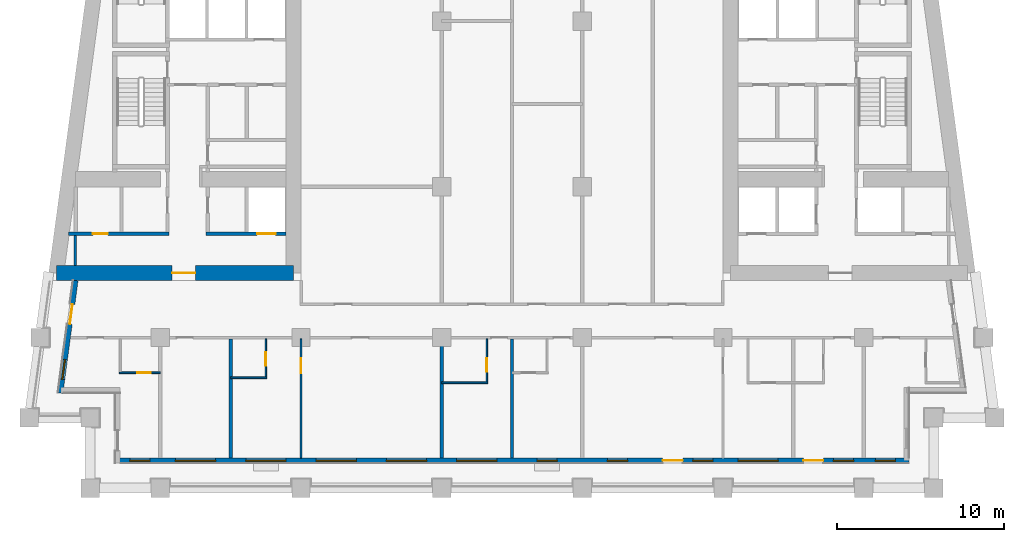
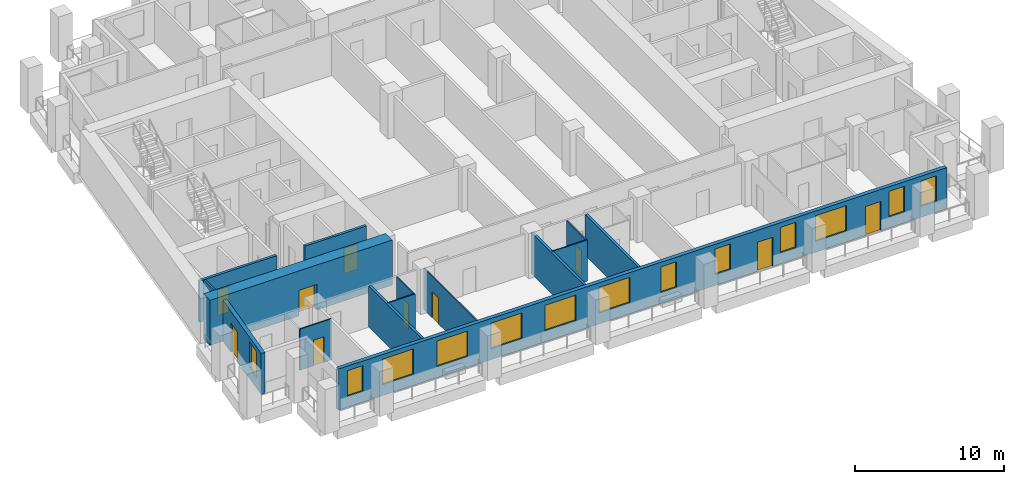
# One storey, part 2 of 13: 15 walls, 13 windows, 10 doors, 23 openings.
"""IFC4 building model written with IfcOpenShell, lengths in metres."""

from ifc_helpers import new_model, si_unit, direction, frame, frame_2d, origin, place, context, subcontext, project, spatial, rectangle, extrude, material, layer, layer_set, type_object, element, fill, save


model = new_model("IFC4")

# Units and contexts
model_context = context("Model", 3, precision=1e-05, world=origin(), true_north=direction((0.0, 1.0)))
body_context = subcontext(model_context, "Body", "Model", "MODEL_VIEW")
ifc_project = project(units=[si_unit("LENGTHUNIT", "METRE"), si_unit("AREAUNIT", "SQUARE_METRE"), si_unit("VOLUMEUNIT", "CUBIC_METRE"), si_unit("PLANEANGLEUNIT", "RADIAN"), si_unit("MASSUNIT", "GRAM", prefix="KILO")], contexts=[model_context])

# Site, building, storey
site_placement = place(None, origin())
site = spatial("IfcSite", under=ifc_project, at=site_placement, CompositionType="ELEMENT")
building_placement = place(site_placement, origin())
building = spatial("IfcBuilding", under=site, at=building_placement, Name="Candeia Pilgrim Tower and Theatre", CompositionType="ELEMENT")
storey_placement = place(building_placement, frame((0.0, 0.0, 158.89990234375)))
storey = spatial("IfcBuildingStorey", under=building, at=storey_placement, Name="L37", CompositionType="ELEMENT", Elevation=158.89990234375)

# Wall, opening, door
ifc_material_1 = material(Name="Concrete C60/75", Category="concrete")
ifc_layer_1 = layer(ifc_material_1, 0.89990234375)
ifc_layer_set_1 = layer_set([ifc_layer_1], Name="Core wall 900 C60/75")
wall_type_1 = type_object("IfcWallType", Name="Core wall 900 C60/75", PredefinedType="SHEAR", material=ifc_layer_set_1)
wall_1_placement = place(storey_placement, frame((100.35009765625, 110.85009765625, 0.0), z_axis=(0.0, 0.0, 1.0), x_axis=(-1.0, 0.0, 0.0)))
wall_1 = element("IfcWall", 1, at=wall_1_placement, inside=storey, type_object=wall_type_1, Name="Core wall W3", PredefinedType="SHEAR", context=body_context, shape_type="SweptSolid", body=[
    extrude(rectangle(XDim=14.166259765625, YDim=0.89990234375, at=frame_2d((7.0830078125, 0.0))), origin(), (0.0, 0.0, 1.0), 3.7001953125),
])
opening_1_placement = place(wall_1_placement, frame((5.854736328125, 0.0, 0.0)))
opening_1 = element("IfcOpeningElement", 2, at=opening_1_placement, cuts=wall_1, Name="Opening L37-D058", PredefinedType="OPENING", context=body_context, shape_type="SweptSolid", body=[
    extrude(rectangle(XDim=1.39990234375, YDim=2.10009765625, at=frame_2d((0.699951171875, 1.050048828125))), frame((0.0, 0.4599609375, 0.0), z_axis=(0.0, -1.0, 0.0), x_axis=(1.0, 0.0, 0.0)), (0.0, 0.0, 1.0), 0.919921875),
])
ifc_material_2 = material(Name="Steel fire door set", Category="steel")
door_type_1 = type_object("IfcDoorType", Name="D-1400-FD60", OperationType="NOTDEFINED", PredefinedType="DOOR", material=ifc_material_2)
door_1_placement = place(opening_1_placement, origin())
door_1 = element("IfcDoor", 3, at=door_1_placement, inside=storey, type_object=door_type_1, Name="Door L37-D058", OperationType="SINGLE_SWING_LEFT", OverallHeight=2.10009765625, OverallWidth=1.39990234375, PredefinedType="DOOR", context=body_context, shape_type="SweptSolid", body=[
    extrude(rectangle(XDim=1.39990234375, YDim=2.10009765625, at=frame_2d((0.699951171875, 1.050048828125))), frame((0.0, 0.02490234375, 0.0), z_axis=(0.0, -1.0, 0.0), x_axis=(1.0, 0.0, 0.0)), (0.0, 0.0, 1.0), 0.050048828125),
])
fill(opening_1, door_1)

# Wall, openings, doors, windows
ifc_material_3 = material(Name="Ceramic block masonry", Category="masonry")
ifc_layer_2 = layer(ifc_material_3, 0.300048828125)
ifc_layer_set_2 = layer_set([ifc_layer_2], Name="EW1 glazing-line wall 300")
wall_type_2 = type_object("IfcWallType", Name="EW1 glazing-line wall 300", PredefinedType="SOLIDWALL", material=ifc_layer_set_2)
wall_2_placement = place(storey_placement, frame((89.85009765625, 99.64990234375, 0.0), z_axis=(0.0, 0.0, 1.0), x_axis=(1.0, 0.0, 0.0)))
wall_2 = element("IfcWall", 4, at=wall_2_placement, inside=storey, type_object=wall_type_2, Name="External wall L37-0.0", PredefinedType="SOLIDWALL", context=body_context, shape_type="SweptSolid", body=[
    extrude(rectangle(XDim=47.25, YDim=0.300048828125, at=frame_2d((23.625, 0.0))), origin(), (0.0, 0.0, 1.0), 3.380126953125),
])
opening_2_placement = place(wall_2_placement, frame((0.72509765625, 0.0, 0.89990234375)))
opening_2 = element("IfcOpeningElement", 5, at=opening_2_placement, cuts=wall_2, Name="Opening W-B", PredefinedType="OPENING", context=body_context, shape_type="SweptSolid", body=[
    extrude(rectangle(XDim=1.199951171875, YDim=2.10009765625, at=frame_2d((0.60009765625, 1.050048828125))), frame((0.0, 0.16015625, 0.0), z_axis=(0.0, -1.0, 0.0), x_axis=(1.0, 0.0, 0.0)), (0.0, 0.0, 1.0), 0.320068359375),
])
opening_3_placement = place(wall_2_placement, frame((3.449951171875, 0.0, 0.89990234375)))
opening_3 = element("IfcOpeningElement", 6, at=opening_3_placement, cuts=wall_2, Name="Opening W-A", PredefinedType="OPENING", context=body_context, shape_type="SweptSolid", body=[
    extrude(rectangle(XDim=2.39990234375, YDim=2.10009765625, at=frame_2d((1.199951171875, 1.050048828125))), frame((0.0, 0.16015625, 0.0), z_axis=(0.0, -1.0, 0.0), x_axis=(1.0, 0.0, 0.0)), (0.0, 0.0, 1.0), 0.320068359375),
])
opening_4_placement = place(wall_2_placement, frame((7.64990234375, 0.0, 0.89990234375)))
opening_4 = element("IfcOpeningElement", 7, at=opening_4_placement, cuts=wall_2, Name="Opening W-A", PredefinedType="OPENING", context=body_context, shape_type="SweptSolid", body=[
    extrude(rectangle(XDim=2.39990234375, YDim=2.10009765625, at=frame_2d((1.199951171875, 1.050048828125))), frame((0.0, 0.16015625, 0.0), z_axis=(0.0, -1.0, 0.0), x_axis=(1.0, 0.0, 0.0)), (0.0, 0.0, 1.0), 0.320068359375),
])
opening_5_placement = place(wall_2_placement, frame((11.85009765625, 0.0, 0.89990234375)))
opening_5 = element("IfcOpeningElement", 8, at=opening_5_placement, cuts=wall_2, Name="Opening W-A", PredefinedType="OPENING", context=body_context, shape_type="SweptSolid", body=[
    extrude(rectangle(XDim=2.39990234375, YDim=2.10009765625, at=frame_2d((1.199951171875, 1.050048828125))), frame((0.0, 0.16015625, 0.0), z_axis=(0.0, -1.0, 0.0), x_axis=(1.0, 0.0, 0.0)), (0.0, 0.0, 1.0), 0.320068359375),
])
opening_6_placement = place(wall_2_placement, frame((16.050048828125, 0.0, 0.89990234375)))
opening_6 = element("IfcOpeningElement", 9, at=opening_6_placement, cuts=wall_2, Name="Opening W-A", PredefinedType="OPENING", context=body_context, shape_type="SweptSolid", body=[
    extrude(rectangle(XDim=2.39990234375, YDim=2.10009765625, at=frame_2d((1.199951171875, 1.050048828125))), frame((0.0, 0.16015625, 0.0), z_axis=(0.0, -1.0, 0.0), x_axis=(1.0, 0.0, 0.0)), (0.0, 0.0, 1.0), 0.320068359375),
])
opening_7_placement = place(wall_2_placement, frame((20.25, 0.0, 0.89990234375)))
opening_7 = element("IfcOpeningElement", 10, at=opening_7_placement, cuts=wall_2, Name="Opening W-A", PredefinedType="OPENING", context=body_context, shape_type="SweptSolid", body=[
    extrude(rectangle(XDim=2.39990234375, YDim=2.10009765625, at=frame_2d((1.199951171875, 1.050048828125))), frame((0.0, 0.16015625, 0.0), z_axis=(0.0, -1.0, 0.0), x_axis=(1.0, 0.0, 0.0)), (0.0, 0.0, 1.0), 0.320068359375),
])
opening_8_placement = place(wall_2_placement, frame((25.050048828125, 0.0, 0.89990234375)))
opening_8 = element("IfcOpeningElement", 11, at=opening_8_placement, cuts=wall_2, Name="Opening W-B", PredefinedType="OPENING", context=body_context, shape_type="SweptSolid", body=[
    extrude(rectangle(XDim=1.199951171875, YDim=2.10009765625, at=frame_2d((0.60009765625, 1.050048828125))), frame((0.0, 0.16015625, 0.0), z_axis=(0.0, -1.0, 0.0), x_axis=(1.0, 0.0, 0.0)), (0.0, 0.0, 1.0), 0.320068359375),
])
opening_9_placement = place(wall_2_placement, frame((29.25, 0.0, 0.89990234375)))
opening_9 = element("IfcOpeningElement", 12, at=opening_9_placement, cuts=wall_2, Name="Opening W-B", PredefinedType="OPENING", context=body_context, shape_type="SweptSolid", body=[
    extrude(rectangle(XDim=1.199951171875, YDim=2.10009765625, at=frame_2d((0.60009765625, 1.050048828125))), frame((0.0, 0.16015625, 0.0), z_axis=(0.0, -1.0, 0.0), x_axis=(1.0, 0.0, 0.0)), (0.0, 0.0, 1.0), 0.320068359375),
])
opening_10_placement = place(wall_2_placement, frame((32.550048828125, 0.0, 0.0)))
opening_10 = element("IfcOpeningElement", 13, at=opening_10_placement, cuts=wall_2, Name="Opening L37-ED354", PredefinedType="OPENING", context=body_context, shape_type="SweptSolid", body=[
    extrude(rectangle(XDim=1.199951171875, YDim=2.39990234375, at=frame_2d((0.60009765625, 1.199951171875))), frame((0.0, 0.16015625, 0.0), z_axis=(0.0, -1.0, 0.0), x_axis=(1.0, 0.0, 0.0)), (0.0, 0.0, 1.0), 0.320068359375),
])
opening_11_placement = place(wall_2_placement, frame((34.35009765625, 0.0, 0.89990234375)))
opening_11 = element("IfcOpeningElement", 14, at=opening_11_placement, cuts=wall_2, Name="Opening W-B", PredefinedType="OPENING", context=body_context, shape_type="SweptSolid", body=[
    extrude(rectangle(XDim=1.199951171875, YDim=2.10009765625, at=frame_2d((0.60009765625, 1.050048828125))), frame((0.0, 0.16015625, 0.0), z_axis=(0.0, -1.0, 0.0), x_axis=(1.0, 0.0, 0.0)), (0.0, 0.0, 1.0), 0.320068359375),
])
opening_12_placement = place(wall_2_placement, frame((37.050048828125, 0.0, 0.89990234375)))
opening_12 = element("IfcOpeningElement", 15, at=opening_12_placement, cuts=wall_2, Name="Opening W-A", PredefinedType="OPENING", context=body_context, shape_type="SweptSolid", body=[
    extrude(rectangle(XDim=2.39990234375, YDim=2.10009765625, at=frame_2d((1.199951171875, 1.050048828125))), frame((0.0, 0.16015625, 0.0), z_axis=(0.0, -1.0, 0.0), x_axis=(1.0, 0.0, 0.0)), (0.0, 0.0, 1.0), 0.320068359375),
])
opening_13_placement = place(wall_2_placement, frame((40.949951171875, 0.0, 0.0)))
opening_13 = element("IfcOpeningElement", 16, at=opening_13_placement, cuts=wall_2, Name="Opening L37-ED355", PredefinedType="OPENING", context=body_context, shape_type="SweptSolid", body=[
    extrude(rectangle(XDim=1.199951171875, YDim=2.39990234375, at=frame_2d((0.60009765625, 1.199951171875))), frame((0.0, 0.16015625, 0.0), z_axis=(0.0, -1.0, 0.0), x_axis=(1.0, 0.0, 0.0)), (0.0, 0.0, 1.0), 0.320068359375),
])
opening_14_placement = place(wall_2_placement, frame((42.75, 0.0, 0.89990234375)))
opening_14 = element("IfcOpeningElement", 17, at=opening_14_placement, cuts=wall_2, Name="Opening W-B", PredefinedType="OPENING", context=body_context, shape_type="SweptSolid", body=[
    extrude(rectangle(XDim=1.199951171875, YDim=2.10009765625, at=frame_2d((0.60009765625, 1.050048828125))), frame((0.0, 0.16015625, 0.0), z_axis=(0.0, -1.0, 0.0), x_axis=(1.0, 0.0, 0.0)), (0.0, 0.0, 1.0), 0.320068359375),
])
opening_15_placement = place(wall_2_placement, frame((45.25, 0.0, 0.89990234375)))
opening_15 = element("IfcOpeningElement", 18, at=opening_15_placement, cuts=wall_2, Name="Opening W-B", PredefinedType="OPENING", context=body_context, shape_type="SweptSolid", body=[
    extrude(rectangle(XDim=1.199951171875, YDim=2.10009765625, at=frame_2d((0.60009765625, 1.050048828125))), frame((0.0, 0.16015625, 0.0), z_axis=(0.0, -1.0, 0.0), x_axis=(1.0, 0.0, 0.0)), (0.0, 0.0, 1.0), 0.320068359375),
])
ifc_material_4 = material(Name="Aluminium framed glazed door", Category="aluminium")
door_type_2 = type_object("IfcDoorType", Name="Loggia door 1200x2400", OperationType="DOUBLE_DOOR_SINGLE_SWING", PredefinedType="DOOR", material=ifc_material_4)
door_2_placement = place(opening_10_placement, origin())
door_2 = element("IfcDoor", 19, at=door_2_placement, inside=storey, type_object=door_type_2, Name="Loggia door L37-ED354", OperationType="DOUBLE_DOOR_SINGLE_SWING", OverallHeight=2.39990234375, OverallWidth=1.199951171875, PredefinedType="DOOR", context=body_context, shape_type="SweptSolid", body=[
    extrude(rectangle(XDim=1.199951171875, YDim=2.39990234375, at=frame_2d((0.60009765625, 1.199951171875))), frame((0.0, 0.02490234375, 0.0), z_axis=(0.0, -1.0, 0.0), x_axis=(1.0, 0.0, 0.0)), (0.0, 0.0, 1.0), 0.050048828125),
])
fill(opening_10, door_2)
door_3_placement = place(opening_13_placement, origin())
door_3 = element("IfcDoor", 20, at=door_3_placement, inside=storey, type_object=door_type_2, Name="Loggia door L37-ED355", OperationType="DOUBLE_DOOR_SINGLE_SWING", OverallHeight=2.39990234375, OverallWidth=1.199951171875, PredefinedType="DOOR", context=body_context, shape_type="SweptSolid", body=[
    extrude(rectangle(XDim=1.199951171875, YDim=2.39990234375, at=frame_2d((0.60009765625, 1.199951171875))), frame((0.0, 0.02490234375, 0.0), z_axis=(0.0, -1.0, 0.0), x_axis=(1.0, 0.0, 0.0)), (0.0, 0.0, 1.0), 0.050048828125),
])
fill(opening_13, door_3)
ifc_material_5 = material(Name="Aluminium framed double glazing", Category="aluminium")
window_type_1 = type_object("IfcWindowType", Name="W-A window 2400x2100", PartitioningType="DOUBLE_PANEL_VERTICAL", PredefinedType="WINDOW", material=ifc_material_5)
window_1_placement = place(opening_3_placement, origin())
window_1 = element("IfcWindow", 21, at=window_1_placement, inside=storey, type_object=window_type_1, Name="Window W-A L37", OverallHeight=2.10009765625, OverallWidth=2.39990234375, PartitioningType="SINGLE_PANEL", PredefinedType="WINDOW", context=body_context, shape_type="SweptSolid", body=[
    extrude(rectangle(XDim=2.39990234375, YDim=2.10009765625, at=frame_2d((1.199951171875, 1.050048828125))), frame((0.0, 0.030029296875, 0.0), z_axis=(0.0, -1.0, 0.0), x_axis=(1.0, 0.0, 0.0)), (0.0, 0.0, 1.0), 0.06005859375),
])
fill(opening_3, window_1)
window_2_placement = place(opening_4_placement, origin())
window_2 = element("IfcWindow", 22, at=window_2_placement, inside=storey, type_object=window_type_1, Name="Window W-A L37", OverallHeight=2.10009765625, OverallWidth=2.39990234375, PartitioningType="SINGLE_PANEL", PredefinedType="WINDOW", context=body_context, shape_type="SweptSolid", body=[
    extrude(rectangle(XDim=2.39990234375, YDim=2.10009765625, at=frame_2d((1.199951171875, 1.050048828125))), frame((0.0, 0.030029296875, 0.0), z_axis=(0.0, -1.0, 0.0), x_axis=(1.0, 0.0, 0.0)), (0.0, 0.0, 1.0), 0.06005859375),
])
fill(opening_4, window_2)
window_3_placement = place(opening_5_placement, origin())
window_3 = element("IfcWindow", 23, at=window_3_placement, inside=storey, type_object=window_type_1, Name="Window W-A L37", OverallHeight=2.10009765625, OverallWidth=2.39990234375, PartitioningType="SINGLE_PANEL", PredefinedType="WINDOW", context=body_context, shape_type="SweptSolid", body=[
    extrude(rectangle(XDim=2.39990234375, YDim=2.10009765625, at=frame_2d((1.199951171875, 1.050048828125))), frame((0.0, 0.030029296875, 0.0), z_axis=(0.0, -1.0, 0.0), x_axis=(1.0, 0.0, 0.0)), (0.0, 0.0, 1.0), 0.06005859375),
])
fill(opening_5, window_3)
window_4_placement = place(opening_6_placement, origin())
window_4 = element("IfcWindow", 24, at=window_4_placement, inside=storey, type_object=window_type_1, Name="Window W-A L37", OverallHeight=2.10009765625, OverallWidth=2.39990234375, PartitioningType="SINGLE_PANEL", PredefinedType="WINDOW", context=body_context, shape_type="SweptSolid", body=[
    extrude(rectangle(XDim=2.39990234375, YDim=2.10009765625, at=frame_2d((1.199951171875, 1.050048828125))), frame((0.0, 0.030029296875, 0.0), z_axis=(0.0, -1.0, 0.0), x_axis=(1.0, 0.0, 0.0)), (0.0, 0.0, 1.0), 0.06005859375),
])
fill(opening_6, window_4)
window_5_placement = place(opening_7_placement, origin())
window_5 = element("IfcWindow", 25, at=window_5_placement, inside=storey, type_object=window_type_1, Name="Window W-A L37", OverallHeight=2.10009765625, OverallWidth=2.39990234375, PartitioningType="SINGLE_PANEL", PredefinedType="WINDOW", context=body_context, shape_type="SweptSolid", body=[
    extrude(rectangle(XDim=2.39990234375, YDim=2.10009765625, at=frame_2d((1.199951171875, 1.050048828125))), frame((0.0, 0.030029296875, 0.0), z_axis=(0.0, -1.0, 0.0), x_axis=(1.0, 0.0, 0.0)), (0.0, 0.0, 1.0), 0.06005859375),
])
fill(opening_7, window_5)
window_6_placement = place(opening_12_placement, origin())
window_6 = element("IfcWindow", 26, at=window_6_placement, inside=storey, type_object=window_type_1, Name="Window W-A L37", OverallHeight=2.10009765625, OverallWidth=2.39990234375, PartitioningType="SINGLE_PANEL", PredefinedType="WINDOW", context=body_context, shape_type="SweptSolid", body=[
    extrude(rectangle(XDim=2.39990234375, YDim=2.10009765625, at=frame_2d((1.199951171875, 1.050048828125))), frame((0.0, 0.030029296875, 0.0), z_axis=(0.0, -1.0, 0.0), x_axis=(1.0, 0.0, 0.0)), (0.0, 0.0, 1.0), 0.06005859375),
])
fill(opening_12, window_6)
window_type_2 = type_object("IfcWindowType", Name="W-B window 1200x2100", PartitioningType="SINGLE_PANEL", PredefinedType="WINDOW", material=ifc_material_5)
window_7_placement = place(opening_2_placement, origin())
window_7 = element("IfcWindow", 27, at=window_7_placement, inside=storey, type_object=window_type_2, Name="Window W-B L37", OverallHeight=2.10009765625, OverallWidth=1.199951171875, PartitioningType="SINGLE_PANEL", PredefinedType="WINDOW", context=body_context, shape_type="SweptSolid", body=[
    extrude(rectangle(XDim=1.199951171875, YDim=2.10009765625, at=frame_2d((0.60009765625, 1.050048828125))), frame((0.0, 0.030029296875, 0.0), z_axis=(0.0, -1.0, 0.0), x_axis=(1.0, 0.0, 0.0)), (0.0, 0.0, 1.0), 0.06005859375),
])
fill(opening_2, window_7)
window_8_placement = place(opening_8_placement, origin())
window_8 = element("IfcWindow", 28, at=window_8_placement, inside=storey, type_object=window_type_2, Name="Window W-B L37", OverallHeight=2.10009765625, OverallWidth=1.199951171875, PartitioningType="SINGLE_PANEL", PredefinedType="WINDOW", context=body_context, shape_type="SweptSolid", body=[
    extrude(rectangle(XDim=1.199951171875, YDim=2.10009765625, at=frame_2d((0.60009765625, 1.050048828125))), frame((0.0, 0.030029296875, 0.0), z_axis=(0.0, -1.0, 0.0), x_axis=(1.0, 0.0, 0.0)), (0.0, 0.0, 1.0), 0.06005859375),
])
fill(opening_8, window_8)
window_9_placement = place(opening_9_placement, origin())
window_9 = element("IfcWindow", 29, at=window_9_placement, inside=storey, type_object=window_type_2, Name="Window W-B L37", OverallHeight=2.10009765625, OverallWidth=1.199951171875, PartitioningType="SINGLE_PANEL", PredefinedType="WINDOW", context=body_context, shape_type="SweptSolid", body=[
    extrude(rectangle(XDim=1.199951171875, YDim=2.10009765625, at=frame_2d((0.60009765625, 1.050048828125))), frame((0.0, 0.030029296875, 0.0), z_axis=(0.0, -1.0, 0.0), x_axis=(1.0, 0.0, 0.0)), (0.0, 0.0, 1.0), 0.06005859375),
])
fill(opening_9, window_9)
window_10_placement = place(opening_11_placement, origin())
window_10 = element("IfcWindow", 30, at=window_10_placement, inside=storey, type_object=window_type_2, Name="Window W-B L37", OverallHeight=2.10009765625, OverallWidth=1.199951171875, PartitioningType="SINGLE_PANEL", PredefinedType="WINDOW", context=body_context, shape_type="SweptSolid", body=[
    extrude(rectangle(XDim=1.199951171875, YDim=2.10009765625, at=frame_2d((0.60009765625, 1.050048828125))), frame((0.0, 0.030029296875, 0.0), z_axis=(0.0, -1.0, 0.0), x_axis=(1.0, 0.0, 0.0)), (0.0, 0.0, 1.0), 0.06005859375),
])
fill(opening_11, window_10)
window_11_placement = place(opening_14_placement, origin())
window_11 = element("IfcWindow", 31, at=window_11_placement, inside=storey, type_object=window_type_2, Name="Window W-B L37", OverallHeight=2.10009765625, OverallWidth=1.199951171875, PartitioningType="SINGLE_PANEL", PredefinedType="WINDOW", context=body_context, shape_type="SweptSolid", body=[
    extrude(rectangle(XDim=1.199951171875, YDim=2.10009765625, at=frame_2d((0.60009765625, 1.050048828125))), frame((0.0, 0.030029296875, 0.0), z_axis=(0.0, -1.0, 0.0), x_axis=(1.0, 0.0, 0.0)), (0.0, 0.0, 1.0), 0.06005859375),
])
fill(opening_14, window_11)
window_12_placement = place(opening_15_placement, origin())
window_12 = element("IfcWindow", 32, at=window_12_placement, inside=storey, type_object=window_type_2, Name="Window W-B L37", OverallHeight=2.10009765625, OverallWidth=1.199951171875, PartitioningType="SINGLE_PANEL", PredefinedType="WINDOW", context=body_context, shape_type="SweptSolid", body=[
    extrude(rectangle(XDim=1.199951171875, YDim=2.10009765625, at=frame_2d((0.60009765625, 1.050048828125))), frame((0.0, 0.030029296875, 0.0), z_axis=(0.0, -1.0, 0.0), x_axis=(1.0, 0.0, 0.0)), (0.0, 0.0, 1.0), 0.06005859375),
])
fill(opening_15, window_12)

# Wall, openings, door, window
wall_3_placement = place(storey_placement, frame((87.334228515625, 110.39990234375, 0.0), z_axis=(0.0, 0.0, 1.0), x_axis=(-0.133437175554, -0.991057273915, 0.0)))
wall_3 = element("IfcWall", 33, at=wall_3_placement, inside=storey, type_object=wall_type_2, Name="External wall L37-9.1", PredefinedType="SOLIDWALL", context=body_context, shape_type="SweptSolid", body=[
    extrude(rectangle(XDim=6.780517578125, YDim=0.300048828125, at=frame_2d((3.39013671875, 0.0))), origin(), (0.0, 0.0, 1.0), 3.380126953125),
])
opening_16_placement = place(wall_3_placement, frame((1.41796875, 0.0, 0.0)))
opening_16 = element("IfcOpeningElement", 34, at=opening_16_placement, cuts=wall_3, Name="Opening L37-ED362", PredefinedType="OPENING", context=body_context, shape_type="SweptSolid", body=[
    extrude(rectangle(XDim=1.199951171875, YDim=2.39990234375, at=frame_2d((0.60009765625, 1.199951171875))), frame((0.0, 0.16015625, 0.0), z_axis=(0.0, -1.0, 0.0), x_axis=(1.0, 0.0, 0.0)), (0.0, 0.0, 1.0), 0.320068359375),
])
opening_17_placement = place(wall_3_placement, frame((4.75830078125, 0.0, 0.89990234375)))
opening_17 = element("IfcOpeningElement", 35, at=opening_17_placement, cuts=wall_3, Name="Opening W-B", PredefinedType="OPENING", context=body_context, shape_type="SweptSolid", body=[
    extrude(rectangle(XDim=1.199951171875, YDim=2.10009765625, at=frame_2d((0.60009765625, 1.050048828125))), frame((0.0, 0.16015625, 0.0), z_axis=(0.0, -1.0, 0.0), x_axis=(1.0, 0.0, 0.0)), (0.0, 0.0, 1.0), 0.320068359375),
])
door_4_placement = place(opening_16_placement, origin())
door_4 = element("IfcDoor", 36, at=door_4_placement, inside=storey, type_object=door_type_2, Name="Loggia door L37-ED362", OperationType="DOUBLE_DOOR_SINGLE_SWING", OverallHeight=2.39990234375, OverallWidth=1.199951171875, PredefinedType="DOOR", context=body_context, shape_type="SweptSolid", body=[
    extrude(rectangle(XDim=1.199951171875, YDim=2.39990234375, at=frame_2d((0.60009765625, 1.199951171875))), frame((0.0, 0.02490234375, 0.0), z_axis=(0.0, -1.0, 0.0), x_axis=(1.0, 0.0, 0.0)), (0.0, 0.0, 1.0), 0.050048828125),
])
fill(opening_16, door_4)
window_13_placement = place(opening_17_placement, origin())
window_13 = element("IfcWindow", 37, at=window_13_placement, inside=storey, type_object=window_type_2, Name="Window W-B L37", OverallHeight=2.10009765625, OverallWidth=1.199951171875, PartitioningType="SINGLE_PANEL", PredefinedType="WINDOW", context=body_context, shape_type="SweptSolid", body=[
    extrude(rectangle(XDim=1.199951171875, YDim=2.10009765625, at=frame_2d((0.60009765625, 1.050048828125))), frame((0.0, 0.030029296875, 0.0), z_axis=(0.0, -1.0, 0.0), x_axis=(1.0, 0.0, 0.0)), (0.0, 0.0, 1.0), 0.06005859375),
])
fill(opening_17, window_13)

# Walls
ifc_material_6 = material(Name="Gypsum board partition on steel studs", Category="steel")
ifc_layer_3 = layer(ifc_material_6, 0.10009765625)
ifc_layer_set_3 = layer_set([ifc_layer_3], Name="PW-100 room partition")
wall_type_3 = type_object("IfcWallType", Name="PW-100 room partition", PredefinedType="PARTITIONING", material=ifc_layer_set_3)
wall_4_placement = place(storey_placement, frame((109.199951171875, 104.300048828125, 0.0), z_axis=(0.0, 0.0, 1.0), x_axis=(1.0, 0.0, 0.0)))
element("IfcWall", 38, at=wall_4_placement, inside=storey, type_object=wall_type_3, Name="Room partition L37-001", PredefinedType="PARTITIONING", context=body_context, shape_type="SweptSolid", body=[
    extrude(rectangle(XDim=2.75, YDim=0.10009765625, at=frame_2d((1.375, 0.0))), origin(), (0.0, 0.0, 1.0), 3.380126953125),
])
wall_5_placement = place(storey_placement, frame((96.60009765625, 104.60009765625, 0.0), z_axis=(0.0, 0.0, 1.0), x_axis=(1.0, 0.0, 0.0)))
element("IfcWall", 39, at=wall_5_placement, inside=storey, type_object=wall_type_3, Name="Room partition L37-004", PredefinedType="PARTITIONING", context=body_context, shape_type="SweptSolid", body=[
    extrude(rectangle(XDim=2.14990234375, YDim=0.10009765625, at=frame_2d((1.074951171875, 0.0))), origin(), (0.0, 0.0, 1.0), 3.380126953125),
])

# Wall, opening, door
wall_6_placement = place(storey_placement, frame((89.949951171875, 104.89990234375, 0.0), z_axis=(0.0, 0.0, 1.0), x_axis=(1.0, 0.0, 0.0)))
wall_6 = element("IfcWall", 40, at=wall_6_placement, inside=storey, type_object=wall_type_3, Name="Room partition L37-005", PredefinedType="PARTITIONING", context=body_context, shape_type="SweptSolid", body=[
    extrude(rectangle(XDim=2.449951171875, YDim=0.10009765625, at=frame_2d((1.22509765625, 0.0))), origin(), (0.0, 0.0, 1.0), 3.380126953125),
])
opening_18_placement = place(wall_6_placement, frame((1.074951171875, 0.0, 0.0)))
opening_18 = element("IfcOpeningElement", 41, at=opening_18_placement, cuts=wall_6, Name="Opening L37-D018", PredefinedType="OPENING", context=body_context, shape_type="SweptSolid", body=[
    extrude(rectangle(XDim=0.800048828125, YDim=2.10009765625, at=frame_2d((0.39990234375, 1.050048828125))), frame((0.0, 0.06005859375, 0.0), z_axis=(0.0, -1.0, 0.0), x_axis=(1.0, 0.0, 0.0)), (0.0, 0.0, 1.0), 0.1201171875),
])
ifc_material_7 = material(Name="Timber door leaf", Category="wood")
door_type_3 = type_object("IfcDoorType", Name="D-800", OperationType="NOTDEFINED", PredefinedType="DOOR", material=ifc_material_7)
door_5_placement = place(opening_18_placement, origin())
door_5 = element("IfcDoor", 42, at=door_5_placement, inside=storey, type_object=door_type_3, Name="Door L37-D018", OperationType="SINGLE_SWING_LEFT", OverallHeight=2.10009765625, OverallWidth=0.800048828125, PredefinedType="DOOR", context=body_context, shape_type="SweptSolid", body=[
    extrude(rectangle(XDim=0.800048828125, YDim=2.10009765625, at=frame_2d((0.39990234375, 1.050048828125))), frame((0.0, 0.02490234375, 0.0), z_axis=(0.0, -1.0, 0.0), x_axis=(1.0, 0.0, 0.0)), (0.0, 0.0, 1.0), 0.050048828125),
])
fill(opening_18, door_5)

wall_7_placement = place(storey_placement, frame((98.699951171875, 104.64990234375, 0.0), z_axis=(0.0, 0.0, 1.0), x_axis=(0.0, 1.0, 0.0)))
wall_7 = element("IfcWall", 43, at=wall_7_placement, inside=storey, type_object=wall_type_3, Name="Room partition L37-071", PredefinedType="PARTITIONING", context=body_context, shape_type="SweptSolid", body=[
    extrude(rectangle(XDim=2.275146484375, YDim=0.10009765625, at=frame_2d((1.1376953125, 0.0))), origin(), (0.0, 0.0, 1.0), 3.380126953125),
])
opening_19_placement = place(wall_7_placement, frame((0.659912109375, 0.0, 0.0)))
opening_19 = element("IfcOpeningElement", 44, at=opening_19_placement, cuts=wall_7, Name="Opening L37-D022", PredefinedType="OPENING", context=body_context, shape_type="SweptSolid", body=[
    extrude(rectangle(XDim=0.800048828125, YDim=2.10009765625, at=frame_2d((0.39990234375, 1.050048828125))), frame((0.0, 0.06005859375, 0.0), z_axis=(0.0, -1.0, 0.0), x_axis=(1.0, 0.0, 0.0)), (0.0, 0.0, 1.0), 0.1201171875),
])
door_6_placement = place(opening_19_placement, origin())
door_6 = element("IfcDoor", 45, at=door_6_placement, inside=storey, type_object=door_type_3, Name="Door L37-D022", OperationType="SINGLE_SWING_LEFT", OverallHeight=2.10009765625, OverallWidth=0.800048828125, PredefinedType="DOOR", context=body_context, shape_type="SweptSolid", body=[
    extrude(rectangle(XDim=0.800048828125, YDim=2.10009765625, at=frame_2d((0.39990234375, 1.050048828125))), frame((0.0, 0.02490234375, 0.0), z_axis=(0.0, -1.0, 0.0), x_axis=(1.0, 0.0, 0.0)), (0.0, 0.0, 1.0), 0.050048828125),
])
fill(opening_19, door_6)

wall_8_placement = place(storey_placement, frame((100.800048828125, 99.7900390625, 0.0), z_axis=(0.0, 0.0, 1.0), x_axis=(0.0, 1.0, 0.0)))
wall_8 = element("IfcWall", 46, at=wall_8_placement, inside=storey, type_object=wall_type_3, Name="Room partition L37-072", PredefinedType="PARTITIONING", context=body_context, shape_type="SweptSolid", body=[
    extrude(rectangle(XDim=7.135009765625, YDim=0.10009765625, at=frame_2d((3.5673828125, 0.0))), origin(), (0.0, 0.0, 1.0), 3.380126953125),
])
opening_20_placement = place(wall_8_placement, frame((5.074951171875, 0.0, 0.0)))
opening_20 = element("IfcOpeningElement", 47, at=opening_20_placement, cuts=wall_8, Name="Opening L37-D021", PredefinedType="OPENING", context=body_context, shape_type="SweptSolid", body=[
    extrude(rectangle(XDim=0.89990234375, YDim=2.10009765625, at=frame_2d((0.449951171875, 1.050048828125))), frame((0.0, 0.06005859375, 0.0), z_axis=(0.0, -1.0, 0.0), x_axis=(1.0, 0.0, 0.0)), (0.0, 0.0, 1.0), 0.1201171875),
])
door_type_4 = type_object("IfcDoorType", Name="D-900", OperationType="NOTDEFINED", PredefinedType="DOOR", material=ifc_material_7)
door_7_placement = place(opening_20_placement, origin())
door_7 = element("IfcDoor", 48, at=door_7_placement, inside=storey, type_object=door_type_4, Name="Door L37-D021", OperationType="SINGLE_SWING_RIGHT", OverallHeight=2.10009765625, OverallWidth=0.89990234375, PredefinedType="DOOR", context=body_context, shape_type="SweptSolid", body=[
    extrude(rectangle(XDim=0.89990234375, YDim=2.10009765625, at=frame_2d((0.449951171875, 1.050048828125))), frame((0.0, 0.02490234375, 0.0), z_axis=(0.0, -1.0, 0.0), x_axis=(1.0, 0.0, 0.0)), (0.0, 0.0, 1.0), 0.050048828125),
])
fill(opening_20, door_7)

wall_9_placement = place(storey_placement, frame((111.89990234375, 104.35009765625, 0.0), z_axis=(0.0, 0.0, 1.0), x_axis=(0.0, 1.0, 0.0)))
wall_9 = element("IfcWall", 49, at=wall_9_placement, inside=storey, type_object=wall_type_3, Name="Room partition L37-082", PredefinedType="PARTITIONING", context=body_context, shape_type="SweptSolid", body=[
    extrude(rectangle(XDim=2.574951171875, YDim=0.10009765625, at=frame_2d((1.28759765625, 0.0))), origin(), (0.0, 0.0, 1.0), 3.380126953125),
])
opening_21_placement = place(wall_9_placement, frame((0.60009765625, 0.0, 0.0)))
opening_21 = element("IfcOpeningElement", 50, at=opening_21_placement, cuts=wall_9, Name="Opening L37-D024", PredefinedType="OPENING", context=body_context, shape_type="SweptSolid", body=[
    extrude(rectangle(XDim=0.800048828125, YDim=2.10009765625, at=frame_2d((0.39990234375, 1.050048828125))), frame((0.0, 0.06005859375, 0.0), z_axis=(0.0, -1.0, 0.0), x_axis=(1.0, 0.0, 0.0)), (0.0, 0.0, 1.0), 0.1201171875),
])
door_8_placement = place(opening_21_placement, origin())
door_8 = element("IfcDoor", 51, at=door_8_placement, inside=storey, type_object=door_type_3, Name="Door L37-D024", OperationType="SINGLE_SWING_LEFT", OverallHeight=2.10009765625, OverallWidth=0.800048828125, PredefinedType="DOOR", context=body_context, shape_type="SweptSolid", body=[
    extrude(rectangle(XDim=0.800048828125, YDim=2.10009765625, at=frame_2d((0.39990234375, 1.050048828125))), frame((0.0, 0.02490234375, 0.0), z_axis=(0.0, -1.0, 0.0), x_axis=(1.0, 0.0, 0.0)), (0.0, 0.0, 1.0), 0.050048828125),
])
fill(opening_21, door_8)

# Walls
ifc_layer_4 = layer(ifc_material_6, 0.14990234375)
ifc_layer_set_4 = layer_set([ifc_layer_4], Name="PW-150 lobby wall")
wall_type_4 = type_object("IfcWallType", Name="PW-150 lobby wall", PredefinedType="PARTITIONING", material=ifc_layer_set_4)
wall_10_placement = place(storey_placement, frame((87.327880859375, 111.300048828125, 0.0), z_axis=(0.0, 0.0, 1.0), x_axis=(0.0, 1.0, 0.0)))
element("IfcWall", 52, at=wall_10_placement, inside=storey, type_object=wall_type_4, Name="Lobby wall L37-050", PredefinedType="PARTITIONING", context=body_context, shape_type="SweptSolid", body=[
    extrude(rectangle(XDim=1.800048828125, YDim=0.14990234375, at=frame_2d((0.89990234375, 0.0))), origin(), (0.0, 0.0, 1.0), 3.380126953125),
])
ifc_layer_5 = layer(ifc_material_6, 0.199951171875)
ifc_layer_set_5 = layer_set([ifc_layer_5], Name="PW-200 party wall")
wall_type_5 = type_object("IfcWallType", Name="PW-200 party wall", PredefinedType="PARTITIONING", material=ifc_layer_set_5)
for number, where, z_axis, x_axis, name in (
    (53, (96.60009765625, 99.7900390625, 0.0), (0.0, 0.0, 1.0), (0.0, 1.0, 0.0), "Party wall L37-066"),
    (54, (109.199951171875, 99.7900390625, 0.0), (0.0, 0.0, 1.0), (0.0, 1.0, 0.0), "Party wall L37-079"),
    (55, (113.39990234375, 99.7900390625, 0.0), (0.0, 0.0, 1.0), (0.0, 1.0, 0.0), "Party wall L37-083"),
):
    element("IfcWall", number, at=place(storey_placement, frame(where, z_axis=z_axis, x_axis=x_axis)), inside=storey, type_object=wall_type_5, Name=name, PredefinedType="PARTITIONING", context=body_context, shape_type="SweptSolid", body=[
        extrude(rectangle(XDim=7.135009765625, YDim=0.199951171875, at=frame_2d((3.5673828125, 0.0))), origin(), (0.0, 0.0, 1.0), 3.380126953125),
    ])

# Wall, opening, door
ifc_material_8 = material(Name="Concrete C40/50", Category="concrete")
ifc_layer_6 = layer(ifc_material_8, 0.199951171875)
ifc_layer_set_6 = layer_set([ifc_layer_6], Name="SW-200 shaft wall")
wall_type_6 = type_object("IfcWallType", Name="SW-200 shaft wall", PredefinedType="PARTITIONING", material=ifc_layer_set_6)
wall_11_placement = place(storey_placement, frame((86.92431640625, 113.199951171875, 0.0), z_axis=(0.0, 0.0, 1.0), x_axis=(1.0, 0.0, 0.0)))
wall_11 = element("IfcWall", 56, at=wall_11_placement, inside=storey, type_object=wall_type_6, Name="Shaft wall L37-009", PredefinedType="PARTITIONING", context=body_context, shape_type="SweptSolid", body=[
    extrude(rectangle(XDim=6.002685546875, YDim=0.199951171875, at=frame_2d((3.00146484375, 0.0))), origin(), (0.0, 0.0, 1.0), 3.380126953125),
])
opening_22_placement = place(wall_11_placement, frame((1.443603515625, 0.0, 0.0)))
opening_22 = element("IfcOpeningElement", 57, at=opening_22_placement, cuts=wall_11, Name="Opening L37-D007", PredefinedType="OPENING", context=body_context, shape_type="SweptSolid", body=[
    extrude(rectangle(XDim=0.89990234375, YDim=2.10009765625, at=frame_2d((0.449951171875, 1.050048828125))), frame((0.0, 0.10986328125, 0.0), z_axis=(0.0, -1.0, 0.0), x_axis=(1.0, 0.0, 0.0)), (0.0, 0.0, 1.0), 0.219970703125),
])
door_type_5 = type_object("IfcDoorType", Name="D-900-FD60", OperationType="NOTDEFINED", PredefinedType="DOOR", material=ifc_material_2)
door_9_placement = place(opening_22_placement, origin())
door_9 = element("IfcDoor", 58, at=door_9_placement, inside=storey, type_object=door_type_5, Name="Door L37-D007", OperationType="SINGLE_SWING_LEFT", OverallHeight=2.10009765625, OverallWidth=0.89990234375, PredefinedType="DOOR", context=body_context, shape_type="SweptSolid", body=[
    extrude(rectangle(XDim=0.89990234375, YDim=2.10009765625, at=frame_2d((0.449951171875, 1.050048828125))), frame((0.0, 0.02490234375, 0.0), z_axis=(0.0, -1.0, 0.0), x_axis=(1.0, 0.0, 0.0)), (0.0, 0.0, 1.0), 0.050048828125),
])
fill(opening_22, door_9)

wall_12_placement = place(storey_placement, frame((95.126953125, 113.199951171875, 0.0), z_axis=(0.0, 0.0, 1.0), x_axis=(1.0, 0.0, 0.0)))
wall_12 = element("IfcWall", 59, at=wall_12_placement, inside=storey, type_object=wall_type_6, Name="Shaft wall L37-010", PredefinedType="PARTITIONING", context=body_context, shape_type="SweptSolid", body=[
    extrude(rectangle(XDim=4.77294921875, YDim=0.199951171875, at=frame_2d((2.386474609375, 0.0))), origin(), (0.0, 0.0, 1.0), 3.380126953125),
])
opening_23_placement = place(wall_12_placement, frame((3.054931640625, 0.0, 0.0)))
opening_23 = element("IfcOpeningElement", 60, at=opening_23_placement, cuts=wall_12, Name="Opening L37-LD03", PredefinedType="OPENING", context=body_context, shape_type="SweptSolid", body=[
    extrude(rectangle(XDim=1.10009765625, YDim=2.10009765625, at=frame_2d((0.550048828125, 1.050048828125))), frame((0.0, 0.10986328125, 0.0), z_axis=(0.0, -1.0, 0.0), x_axis=(1.0, 0.0, 0.0)), (0.0, 0.0, 1.0), 0.219970703125),
])
ifc_material_9 = material(Name="Glazed aluminium landing door", Category="aluminium")
door_type_6 = type_object("IfcDoorType", Name="LD-1100-EI120", OperationType="SLIDING_TO_LEFT", PredefinedType="DOOR", material=ifc_material_9)
door_10_placement = place(opening_23_placement, origin())
door_10 = element("IfcDoor", 61, at=door_10_placement, inside=storey, type_object=door_type_6, Name="Landing door 03 L37", OperationType="SLIDING_TO_LEFT", OverallHeight=2.10009765625, OverallWidth=1.10009765625, PredefinedType="DOOR", context=body_context, shape_type="SweptSolid", body=[
    extrude(rectangle(XDim=1.10009765625, YDim=2.10009765625, at=frame_2d((0.550048828125, 1.050048828125))), frame((0.0, 0.02490234375, 0.0), z_axis=(0.0, -1.0, 0.0), x_axis=(1.0, 0.0, 0.0)), (0.0, 0.0, 1.0), 0.050048828125),
])
fill(opening_23, door_10)

save(model, "model.ifc")
